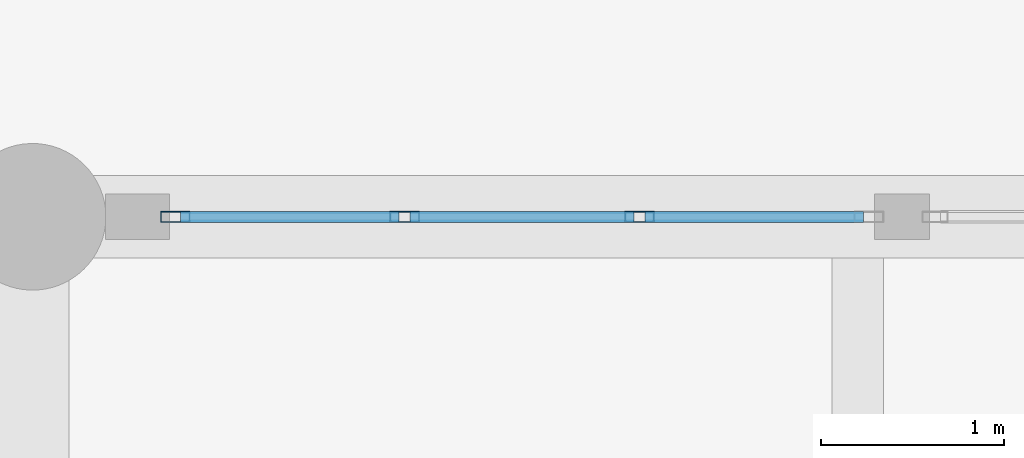
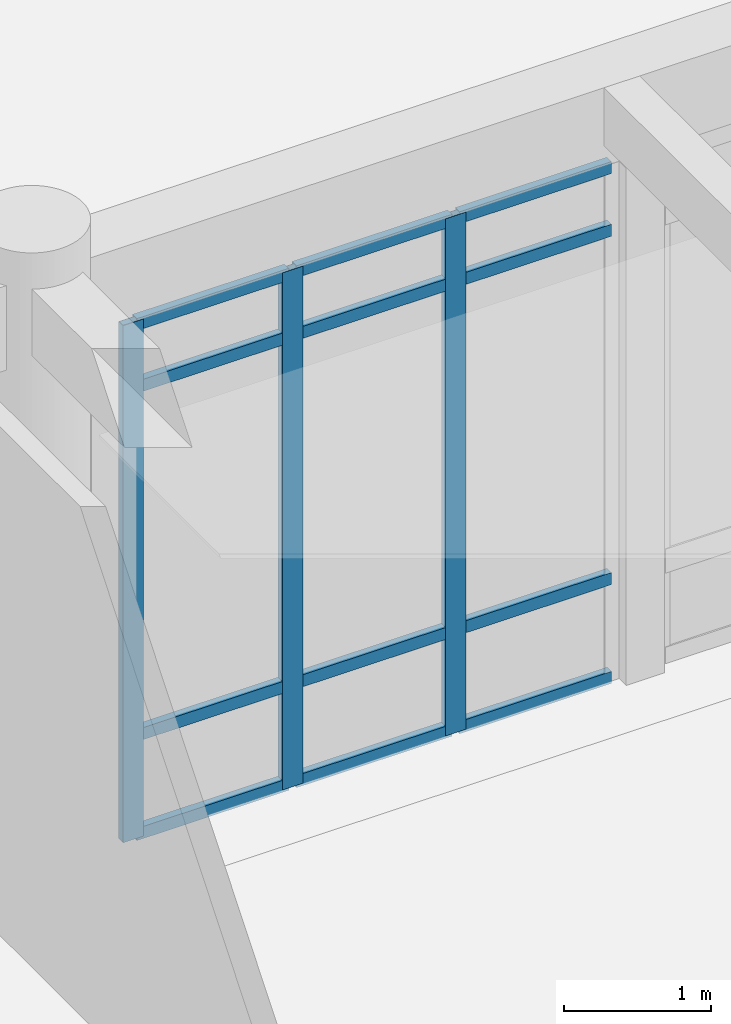
# One storey, part 15 of 138: 15 members, 1 element without a shape of its own.
"""IFC4 building model written with IfcOpenShell, lengths in metres."""

from ifc_helpers import new_model, si_unit, direction, frame, origin, origin_2d, place, context, subcontext, project, spatial, hollow_rectangle, extrude, material, layer, layer_set, material_profile, profile_set, type_object, element, aggregate, save


model = new_model("IFC4")

# Units and contexts
model_context = context("Model", 3, precision=1e-05, world=origin(), true_north=direction((0.0, 1.0)))
body_context = subcontext(model_context, "Body", "Model", "MODEL_VIEW")
ifc_project = project(units=[si_unit("LENGTHUNIT", "METRE"), si_unit("AREAUNIT", "SQUARE_METRE"), si_unit("VOLUMEUNIT", "CUBIC_METRE"), si_unit("PLANEANGLEUNIT", "RADIAN"), si_unit("MASSUNIT", "GRAM", prefix="KILO")], contexts=[model_context])

# Site, building, storey
site_placement = place(None, origin())
site = spatial("IfcSite", under=ifc_project, at=site_placement, CompositionType="ELEMENT")
building_placement = place(site_placement, origin())
building = spatial("IfcBuilding", under=site, at=building_placement, Name="Fikremerkos Civic Library", CompositionType="ELEMENT")
storey_placement = place(building_placement, origin())
storey = spatial("IfcBuildingStorey", under=building, at=storey_placement, Name="L00", CompositionType="ELEMENT", Elevation=0.0)

# Curtain wall, members
ifc_material = material(Name="Anodized aluminium Frame", Category="aluminium")
ifc_layer = layer(ifc_material, 0.159912109375, Name="Anodized aluminium Frame")
ifc_layer_set = layer_set([ifc_layer], Name="Anodized aluminium Frame")
curtain_wall_type = type_object("IfcCurtainWallType", Name="Unitised curtain wall CW-14 4100x3200", PredefinedType="USERDEFINED", material=ifc_layer_set)
curtain_wall_placement = place(storey_placement, origin())
curtain_wall = element("IfcCurtainWall", 1, at=curtain_wall_placement, inside=storey, type_object=curtain_wall_type, Name="Unitised curtain wall CW-14 L00 #14", ObjectType="UNITISED CURTAIN WALL", PredefinedType="USERDEFINED")
ifc_material_profile_1 = material_profile(ifc_material, hollow_rectangle(XDim=0.06005859375, YDim=0.159912109375, WallThickness=0.00390625, at=origin_2d()), Name="ALU 160x60x4")
ifc_profile_set_1 = profile_set([ifc_material_profile_1], Name="Anodized aluminium Frame")
member_type_1 = type_object("IfcMemberType", Name="Curtain mullion CWM-02 ALU 160x60x4", PredefinedType="MULLION", material=ifc_profile_set_1)
member_1_placement = place(storey_placement, frame((60.47802734375, 48.0, 0.0), z_axis=(0.0, 0.0, 1.0), x_axis=(0.0, 1.0, 0.0)))
member_1 = element("IfcMember", 2, at=member_1_placement, type_object=member_type_1, Name="CW-14 mullion 1", PredefinedType="MULLION", context=body_context, shape_type="SweptSolid", body=[
    extrude(hollow_rectangle(XDim=0.06005859375, YDim=0.159912109375, WallThickness=0.00390625, at=origin_2d()), origin(), (0.0, 0.0, 1.0), 4.2900390625),
])
member_2_placement = place(storey_placement, frame((61.72900390625, 48.0, 0.0), z_axis=(0.0, 0.0, 1.0), x_axis=(0.0, 1.0, 0.0)))
member_2 = element("IfcMember", 3, at=member_2_placement, type_object=member_type_1, Name="CW-14 mullion 2", PredefinedType="MULLION", context=body_context, shape_type="SweptSolid", body=[
    extrude(hollow_rectangle(XDim=0.06005859375, YDim=0.159912109375, WallThickness=0.00390625, at=origin_2d()), origin(), (0.0, 0.0, 1.0), 4.2900390625),
])
member_3_placement = place(storey_placement, frame((63.010009765625, 48.0, 0.0), z_axis=(0.0, 0.0, 1.0), x_axis=(0.0, 1.0, 0.0)))
member_3 = element("IfcMember", 4, at=member_3_placement, type_object=member_type_1, Name="CW-14 mullion 3", PredefinedType="MULLION", context=body_context, shape_type="SweptSolid", body=[
    extrude(hollow_rectangle(XDim=0.06005859375, YDim=0.159912109375, WallThickness=0.00390625, at=origin_2d()), origin(), (0.0, 0.0, 1.0), 4.2900390625),
])
ifc_material_profile_2 = material_profile(ifc_material, hollow_rectangle(XDim=0.06005859375, YDim=0.10009765625, WallThickness=0.00390625, at=origin_2d()), Name="ALU 100x60x4")
ifc_profile_set_2 = profile_set([ifc_material_profile_2], Name="Anodized aluminium Frame")
member_type_2 = type_object("IfcMemberType", Name="Curtain transom CWT-03 ALU 100x60x4", PredefinedType="USERDEFINED", material=ifc_profile_set_2)
member_4_placement = place(storey_placement, frame((60.508056640625, 48.0, 0.030029296875), z_axis=(1.0, 0.0, 0.0), x_axis=(0.0, 1.0, 0.0)))
member_4 = element("IfcMember", 5, at=member_4_placement, type_object=member_type_2, Name="CW-14 transom 1.1", ObjectType="TRANSOM", PredefinedType="USERDEFINED", context=body_context, shape_type="SweptSolid", body=[
    extrude(hollow_rectangle(XDim=0.06005859375, YDim=0.10009765625, WallThickness=0.00390625, at=origin_2d()), origin(), (0.0, 0.0, 1.0), 1.19091796875),
])
member_5_placement = place(storey_placement, frame((60.508056640625, 48.0, 0.85009765625), z_axis=(1.0, 0.0, 0.0), x_axis=(0.0, 1.0, 0.0)))
member_5 = element("IfcMember", 6, at=member_5_placement, type_object=member_type_2, Name="CW-14 transom 1.2", ObjectType="TRANSOM", PredefinedType="USERDEFINED", context=body_context, shape_type="SweptSolid", body=[
    extrude(hollow_rectangle(XDim=0.06005859375, YDim=0.10009765625, WallThickness=0.00390625, at=origin_2d()), origin(), (0.0, 0.0, 1.0), 1.19091796875),
])
member_6_placement = place(storey_placement, frame((60.508056640625, 48.0, 3.739990234375), z_axis=(1.0, 0.0, 0.0), x_axis=(0.0, 1.0, 0.0)))
member_6 = element("IfcMember", 7, at=member_6_placement, type_object=member_type_2, Name="CW-14 transom 1.3", ObjectType="TRANSOM", PredefinedType="USERDEFINED", context=body_context, shape_type="SweptSolid", body=[
    extrude(hollow_rectangle(XDim=0.06005859375, YDim=0.10009765625, WallThickness=0.00390625, at=origin_2d()), origin(), (0.0, 0.0, 1.0), 1.19091796875),
])
member_7_placement = place(storey_placement, frame((60.508056640625, 48.0, 4.260009765625), z_axis=(1.0, 0.0, 0.0), x_axis=(0.0, 1.0, 0.0)))
member_7 = element("IfcMember", 8, at=member_7_placement, type_object=member_type_2, Name="CW-14 transom 1.4", ObjectType="TRANSOM", PredefinedType="USERDEFINED", context=body_context, shape_type="SweptSolid", body=[
    extrude(hollow_rectangle(XDim=0.06005859375, YDim=0.10009765625, WallThickness=0.00390625, at=origin_2d()), origin(), (0.0, 0.0, 1.0), 1.19091796875),
])
member_8_placement = place(storey_placement, frame((61.759033203125, 48.0, 0.030029296875), z_axis=(1.0, 0.0, 0.0), x_axis=(0.0, 1.0, 0.0)))
member_8 = element("IfcMember", 9, at=member_8_placement, type_object=member_type_2, Name="CW-14 transom 2.1", ObjectType="TRANSOM", PredefinedType="USERDEFINED", context=body_context, shape_type="SweptSolid", body=[
    extrude(hollow_rectangle(XDim=0.06005859375, YDim=0.10009765625, WallThickness=0.00390625, at=origin_2d()), origin(), (0.0, 0.0, 1.0), 1.220947265625),
])
member_9_placement = place(storey_placement, frame((61.759033203125, 48.0, 0.85009765625), z_axis=(1.0, 0.0, 0.0), x_axis=(0.0, 1.0, 0.0)))
member_9 = element("IfcMember", 10, at=member_9_placement, type_object=member_type_2, Name="CW-14 transom 2.2", ObjectType="TRANSOM", PredefinedType="USERDEFINED", context=body_context, shape_type="SweptSolid", body=[
    extrude(hollow_rectangle(XDim=0.06005859375, YDim=0.10009765625, WallThickness=0.00390625, at=origin_2d()), origin(), (0.0, 0.0, 1.0), 1.220947265625),
])
member_10_placement = place(storey_placement, frame((61.759033203125, 48.0, 3.739990234375), z_axis=(1.0, 0.0, 0.0), x_axis=(0.0, 1.0, 0.0)))
member_10 = element("IfcMember", 11, at=member_10_placement, type_object=member_type_2, Name="CW-14 transom 2.3", ObjectType="TRANSOM", PredefinedType="USERDEFINED", context=body_context, shape_type="SweptSolid", body=[
    extrude(hollow_rectangle(XDim=0.06005859375, YDim=0.10009765625, WallThickness=0.00390625, at=origin_2d()), origin(), (0.0, 0.0, 1.0), 1.220947265625),
])
member_11_placement = place(storey_placement, frame((61.759033203125, 48.0, 4.260009765625), z_axis=(1.0, 0.0, 0.0), x_axis=(0.0, 1.0, 0.0)))
member_11 = element("IfcMember", 12, at=member_11_placement, type_object=member_type_2, Name="CW-14 transom 2.4", ObjectType="TRANSOM", PredefinedType="USERDEFINED", context=body_context, shape_type="SweptSolid", body=[
    extrude(hollow_rectangle(XDim=0.06005859375, YDim=0.10009765625, WallThickness=0.00390625, at=origin_2d()), origin(), (0.0, 0.0, 1.0), 1.220947265625),
])
member_12_placement = place(storey_placement, frame((63.0400390625, 48.0, 0.030029296875), z_axis=(1.0, 0.0, 0.0), x_axis=(0.0, 1.0, 0.0)))
member_12 = element("IfcMember", 13, at=member_12_placement, type_object=member_type_2, Name="CW-14 transom 3.1", ObjectType="TRANSOM", PredefinedType="USERDEFINED", context=body_context, shape_type="SweptSolid", body=[
    extrude(hollow_rectangle(XDim=0.06005859375, YDim=0.10009765625, WallThickness=0.00390625, at=origin_2d()), origin(), (0.0, 0.0, 1.0), 1.19091796875),
])
member_13_placement = place(storey_placement, frame((63.0400390625, 48.0, 0.85009765625), z_axis=(1.0, 0.0, 0.0), x_axis=(0.0, 1.0, 0.0)))
member_13 = element("IfcMember", 14, at=member_13_placement, type_object=member_type_2, Name="CW-14 transom 3.2", ObjectType="TRANSOM", PredefinedType="USERDEFINED", context=body_context, shape_type="SweptSolid", body=[
    extrude(hollow_rectangle(XDim=0.06005859375, YDim=0.10009765625, WallThickness=0.00390625, at=origin_2d()), origin(), (0.0, 0.0, 1.0), 1.19091796875),
])
member_14_placement = place(storey_placement, frame((63.0400390625, 48.0, 3.739990234375), z_axis=(1.0, 0.0, 0.0), x_axis=(0.0, 1.0, 0.0)))
member_14 = element("IfcMember", 15, at=member_14_placement, type_object=member_type_2, Name="CW-14 transom 3.3", ObjectType="TRANSOM", PredefinedType="USERDEFINED", context=body_context, shape_type="SweptSolid", body=[
    extrude(hollow_rectangle(XDim=0.06005859375, YDim=0.10009765625, WallThickness=0.00390625, at=origin_2d()), origin(), (0.0, 0.0, 1.0), 1.19091796875),
])
member_15_placement = place(storey_placement, frame((63.0400390625, 48.0, 4.260009765625), z_axis=(1.0, 0.0, 0.0), x_axis=(0.0, 1.0, 0.0)))
member_15 = element("IfcMember", 16, at=member_15_placement, type_object=member_type_2, Name="CW-14 transom 3.4", ObjectType="TRANSOM", PredefinedType="USERDEFINED", context=body_context, shape_type="SweptSolid", body=[
    extrude(hollow_rectangle(XDim=0.06005859375, YDim=0.10009765625, WallThickness=0.00390625, at=origin_2d()), origin(), (0.0, 0.0, 1.0), 1.19091796875),
])
aggregate(curtain_wall, [member_1, member_2, member_3, member_4, member_5, member_6, member_7, member_8, member_9, member_10, member_11, member_12, member_13, member_14, member_15])

save(model, "model.ifc")
